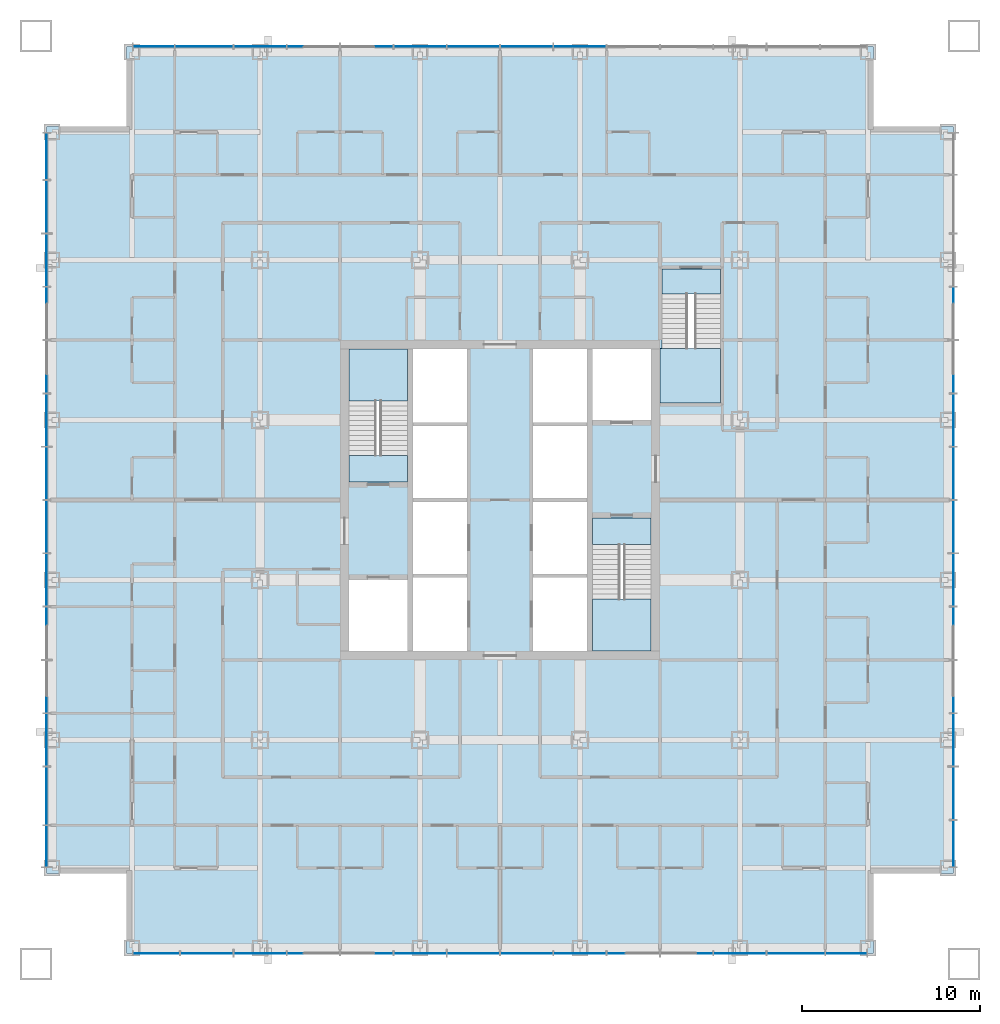
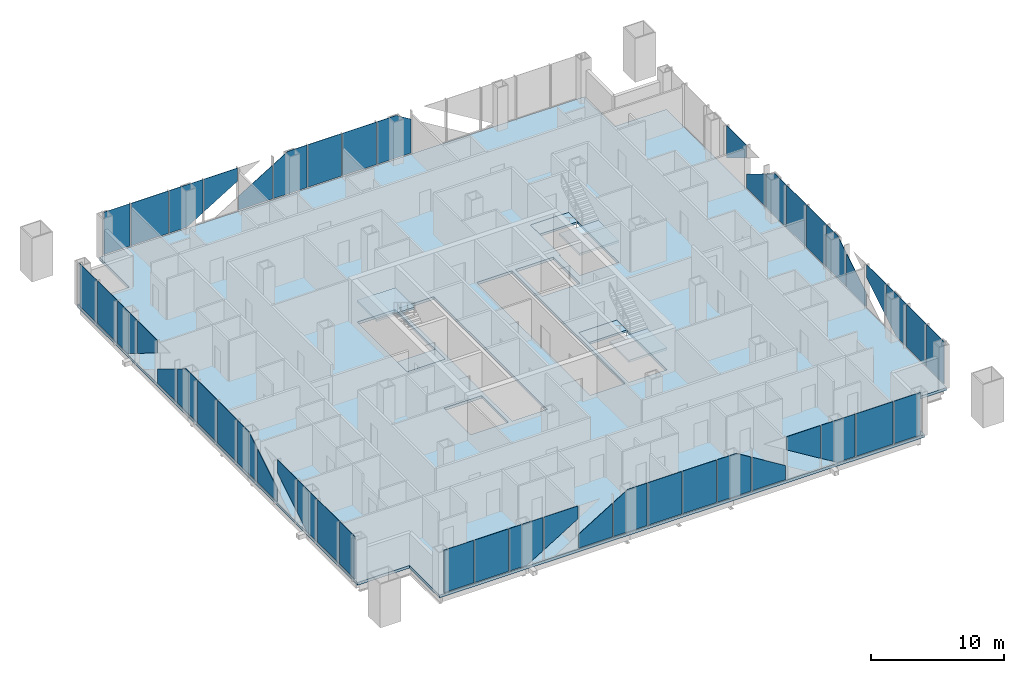
# One storey, part 6 of 13: 48 plates, 7 slabs, 7 elements without a shape of their own.
"""IFC4 building model written with IfcOpenShell, lengths in metres."""

from ifc_helpers import new_model, si_unit, direction, frame, origin, origin_2d, place, context, subcontext, project, spatial, polyline, rectangle, outline, extrude, material, layer, layer_set, type_object, element, aggregate, save


model = new_model("IFC4")

# Units and contexts
model_context = context("Model", 3, precision=1e-05, world=origin(), true_north=direction((0.0, 1.0)))
body_context = subcontext(model_context, "Body", "Model", "MODEL_VIEW")
ifc_project = project(units=[si_unit("LENGTHUNIT", "METRE"), si_unit("AREAUNIT", "SQUARE_METRE"), si_unit("VOLUMEUNIT", "CUBIC_METRE"), si_unit("PLANEANGLEUNIT", "RADIAN"), si_unit("MASSUNIT", "GRAM", prefix="KILO")], contexts=[model_context])

# Site, building, storey
site_placement = place(None, origin())
site = spatial("IfcSite", under=ifc_project, at=site_placement, CompositionType="ELEMENT")
building_placement = place(site_placement, origin())
building = spatial("IfcBuilding", under=site, at=building_placement, Name="Malebo Sky Hospital", CompositionType="ELEMENT")
storey_placement = place(building_placement, frame((0.0, 0.0, 39.0)))
storey = spatial("IfcBuildingStorey", under=building, at=storey_placement, Name="L08", CompositionType="ELEMENT", Elevation=39.0)

# Slab
ifc_material_1 = material(Name="Concrete C40/50", Category="concrete")
ifc_layer_1 = layer(ifc_material_1, 0.25)
ifc_layer_set_1 = layer_set([ifc_layer_1], Name="COMPOSITE FLOOR SLAB 250")
slab_type_1 = type_object("IfcSlabType", Name="COMPOSITE FLOOR SLAB 250", PredefinedType="FLOOR", material=ifc_layer_set_1)
slab_1_placement = place(storey_placement, frame((0.0, 0.0, -0.25)))
element("IfcSlab", 1, at=slab_1_placement, inside=storey, type_object=slab_type_1, Name="Floor slab L08", PredefinedType="FLOOR", context=body_context, shape_type="SweptSolid", body=[
    extrude(outline(polyline([(39.0, 87.5), (39.0, 83.0), (34.5, 83.0), (34.5, 41.0), (39.0, 41.0), (39.0, 36.5), (81.0, 36.5), (81.0, 41.0), (85.5, 41.0), (85.5, 83.0), (81.0, 83.0), (81.0, 87.5), (39.0, 87.5)]), holes=[polyline([(55.10009765625, 70.5), (58.14990234375, 70.5), (58.14990234375, 53.5), (55.10009765625, 53.5), (55.10009765625, 70.5)]), polyline([(64.89990234375, 70.5), (64.89990234375, 53.5), (61.85009765625, 53.5), (61.85009765625, 70.5), (64.89990234375, 70.5)]), polyline([(54.800048828125, 63.0), (51.5, 63.0), (51.5, 70.5), (54.800048828125, 70.5), (54.800048828125, 63.0)]), polyline([(51.5, 53.5), (51.5, 57.5), (54.800048828125, 57.5), (54.800048828125, 53.5), (51.5, 53.5)]), polyline([(65.199951171875, 61.0), (68.5, 61.0), (68.5, 53.5), (65.199951171875, 53.5), (65.199951171875, 61.0)]), polyline([(68.5, 70.5), (68.5, 66.5), (65.199951171875, 66.5), (65.199951171875, 70.5), (68.5, 70.5)]), polyline([(69.0, 67.449951171875), (69.0, 70.52001953125), (69.10009765625, 70.52001953125), (69.10009765625, 75.0), (72.39990234375, 75.0), (72.39990234375, 67.449951171875), (69.10009765625, 67.449951171875), (69.0, 67.449951171875)])]), origin(), (0.0, 0.0, 1.0), 0.25),
])

# Stair, slabs
stair_type_1 = type_object("IfcStairType", Name="HALF-TURN STAIR 1500 R167", PredefinedType="HALF_TURN_STAIR", material=ifc_material_1)
stair_1_placement = place(storey_placement, origin())
stair_1 = element("IfcStair", 2, at=stair_1_placement, inside=storey, type_object=stair_type_1, Name="Stair S1 L08 type ST1", PredefinedType="HALF_TURN_STAIR")
ifc_layer_2 = layer(ifc_material_1, 0.199951171875)
ifc_layer_set_2 = layer_set([ifc_layer_2], Name="STAIR LANDING 200")
slab_type_2 = type_object("IfcSlabType", Name="STAIR LANDING 200", PredefinedType="LANDING", material=ifc_layer_set_2)
slab_2_placement = place(storey_placement, frame((0.0, 0.0, -0.199951171875)))
slab_2 = element("IfcSlab", 3, at=slab_2_placement, type_object=slab_type_2, Name="S1 landing 1", PredefinedType="LANDING", context=body_context, shape_type="SweptSolid", body=[
    extrude(outline(polyline([(51.5, 63.0), (54.800048828125, 63.0), (54.800048828125, 64.5), (51.5, 64.5), (51.5, 63.0)])), origin(), (0.0, 0.0, 1.0), 0.199951171875),
])
slab_3_placement = place(storey_placement, frame((0.0, 0.0, 1.800048828125)))
slab_3 = element("IfcSlab", 4, at=slab_3_placement, type_object=slab_type_2, Name="S1 landing 2", PredefinedType="LANDING", context=body_context, shape_type="SweptSolid", body=[
    extrude(outline(polyline([(51.5, 67.580078125), (54.800048828125, 67.580078125), (54.800048828125, 70.5), (51.5, 70.5), (51.5, 67.580078125)])), origin(), (0.0, 0.0, 1.0), 0.199951171875),
])
aggregate(stair_1, [slab_2, slab_3])

stair_2_placement = place(storey_placement, origin())
stair_2 = element("IfcStair", 5, at=stair_2_placement, inside=storey, type_object=stair_type_1, Name="Stair S2 L08 type ST1", PredefinedType="HALF_TURN_STAIR")
slab_4_placement = place(storey_placement, frame((0.0, 0.0, -0.199951171875)))
slab_4 = element("IfcSlab", 6, at=slab_4_placement, type_object=slab_type_2, Name="S2 landing 1", PredefinedType="LANDING", context=body_context, shape_type="SweptSolid", body=[
    extrude(outline(polyline([(65.199951171875, 59.5), (68.5, 59.5), (68.5, 61.0), (65.199951171875, 61.0), (65.199951171875, 59.5)])), origin(), (0.0, 0.0, 1.0), 0.199951171875),
])
slab_5_placement = place(storey_placement, frame((0.0, 0.0, 1.800048828125)))
slab_5 = element("IfcSlab", 7, at=slab_5_placement, type_object=slab_type_2, Name="S2 landing 2", PredefinedType="LANDING", context=body_context, shape_type="SweptSolid", body=[
    extrude(outline(polyline([(65.199951171875, 53.5), (68.5, 53.5), (68.5, 56.419921875), (65.199951171875, 56.419921875), (65.199951171875, 53.5)])), origin(), (0.0, 0.0, 1.0), 0.199951171875),
])
aggregate(stair_2, [slab_4, slab_5])

stair_type_2 = type_object("IfcStairType", Name="HALF-TURN STAIR 1400 R167", PredefinedType="HALF_TURN_STAIR", material=ifc_material_1)
stair_3_placement = place(storey_placement, origin())
stair_3 = element("IfcStair", 8, at=stair_3_placement, inside=storey, type_object=stair_type_2, Name="Stair S3 L08 type ST1B", PredefinedType="HALF_TURN_STAIR")
slab_6_placement = place(storey_placement, frame((0.0, 0.0, -0.199951171875)))
slab_6 = element("IfcSlab", 9, at=slab_6_placement, type_object=slab_type_2, Name="S3 landing 1", PredefinedType="LANDING", context=body_context, shape_type="SweptSolid", body=[
    extrude(outline(polyline([(69.10009765625, 73.60009765625), (72.39990234375, 73.60009765625), (72.39990234375, 75.0), (69.10009765625, 75.0), (69.10009765625, 73.60009765625)])), origin(), (0.0, 0.0, 1.0), 0.199951171875),
])
slab_7_placement = place(storey_placement, frame((0.0, 0.0, 1.800048828125)))
slab_7 = element("IfcSlab", 10, at=slab_7_placement, type_object=slab_type_2, Name="S3 landing 2", PredefinedType="LANDING", context=body_context, shape_type="SweptSolid", body=[
    extrude(outline(polyline([(69.0, 67.449951171875), (72.39990234375, 67.449951171875), (72.39990234375, 70.52001953125), (69.0, 70.52001953125), (69.0, 67.449951171875)])), origin(), (0.0, 0.0, 1.0), 0.199951171875),
])
aggregate(stair_3, [slab_6, slab_7])

# Curtain wall, plates
ifc_material_2 = material(Name="Anodised aluminium, natural silver", Category="aluminium")
ifc_layer_3 = layer(ifc_material_2, 0.25)
ifc_layer_set_3 = layer_set([ifc_layer_3], Name="WARD CURTAIN WALL NORTH AND SOUTH")
curtain_wall_type_1 = type_object("IfcCurtainWallType", Name="WARD CURTAIN WALL NORTH AND SOUTH", PredefinedType="NOTDEFINED", material=ifc_layer_set_3)
curtain_wall_1_placement = place(storey_placement, origin())
curtain_wall_1 = element("IfcCurtainWall", 11, at=curtain_wall_1_placement, inside=storey, type_object=curtain_wall_type_1, Name="NS curtain wall N", PredefinedType="NOTDEFINED")
ifc_material_3 = material(Name="Clear low-iron double glazing", Category="glass")
ifc_layer_4 = layer(ifc_material_3, 0.031982421875)
ifc_layer_set_4 = layer_set([ifc_layer_4], Name="VISION PANEL CLEAR 32")
plate_type = type_object("IfcPlateType", Name="VISION PANEL CLEAR 32", PredefinedType="CURTAIN_PANEL", material=ifc_layer_set_4)
plate_1_placement = place(storey_placement, frame((40.518798828125, 87.5, 0.10009765625), z_axis=(0.0, 0.0, 1.0), x_axis=(1.0, 0.0, 0.0)))
plate_1 = element("IfcPlate", 12, at=plate_1_placement, type_object=plate_type, Name="Panel 1", PredefinedType="CURTAIN_PANEL", context=body_context, shape_type="SweptSolid", body=[
    extrude(rectangle(XDim=2.28759765625, YDim=0.031982421875, at=origin_2d()), origin(), (0.0, 0.0, 1.0), 3.889892578125),
])
plate_2_placement = place(storey_placement, frame((43.35009765625, 87.5, 0.10009765625), z_axis=(0.0, 0.0, 1.0), x_axis=(1.0, 0.0, 0.0)))
plate_2 = element("IfcPlate", 13, at=plate_2_placement, type_object=plate_type, Name="Panel 2", PredefinedType="CURTAIN_PANEL", context=body_context, shape_type="SweptSolid", body=[
    extrude(rectangle(XDim=3.22509765625, YDim=0.031982421875, at=origin_2d()), origin(), (0.0, 0.0, 1.0), 3.889892578125),
])
plate_3_placement = place(storey_placement, frame((46.5, 87.5, 0.10009765625), z_axis=(0.0, 0.0, 1.0), x_axis=(1.0, 0.0, 0.0)))
plate_3 = element("IfcPlate", 14, at=plate_3_placement, type_object=plate_type, Name="Panel 3", PredefinedType="CURTAIN_PANEL", context=body_context, shape_type="SweptSolid", body=[
    extrude(outline(polyline([(-1.46240234375, 0.0), (0.068603515625, 0.0), (1.46240234375, 0.8544921875), (1.46240234375, 3.889892578125), (-1.46240234375, 3.889892578125), (-1.46240234375, 0.0)])), frame((0.0, 0.01611328125, 0.0), z_axis=(0.0, -1.0, 0.0), x_axis=(1.0, 0.0, 0.0)), (0.0, 0.0, 1.0), 0.031982421875),
])
plate_4_placement = place(storey_placement, frame((49.5, 87.5, 1.00048828125), z_axis=(0.0, 0.0, 1.0), x_axis=(1.0, 0.0, 0.0)))
plate_4 = element("IfcPlate", 15, at=plate_4_placement, type_object=plate_type, Name="Panel 4", PredefinedType="CURTAIN_PANEL", context=body_context, shape_type="SweptSolid", body=[
    extrude(outline(polyline([(-1.46240234375, 0.0), (1.46240234375, 1.793212890625), (1.46240234375, 2.989501953125), (-1.46240234375, 2.989501953125), (-1.46240234375, 0.0)])), frame((0.0, 0.01611328125, 0.0), z_axis=(0.0, -1.0, 0.0), x_axis=(1.0, 0.0, 0.0)), (0.0, 0.0, 1.0), 0.031982421875),
])
plate_5_placement = place(storey_placement, frame((52.5, 87.5, 0.10009765625), z_axis=(0.0, 0.0, 1.0), x_axis=(1.0, 0.0, 0.0)))
plate_5 = element("IfcPlate", 16, at=plate_5_placement, type_object=plate_type, Name="Panel 5", PredefinedType="CURTAIN_PANEL", context=body_context, shape_type="SweptSolid", body=[
    extrude(outline(polyline([(-1.46240234375, 0.0), (1.46240234375, 0.0), (1.46240234375, 3.065185546875), (-1.46240234375, 1.272216796875), (-1.46240234375, 0.0)])), frame((0.0, 0.01611328125, 0.0), z_axis=(0.0, -1.0, 0.0), x_axis=(1.0, 0.0, 0.0)), (0.0, 0.0, 1.0), 0.031982421875),
])
plate_6_placement = place(storey_placement, frame((55.5, 87.5, 0.10009765625), z_axis=(0.0, 0.0, 1.0), x_axis=(1.0, 0.0, 0.0)))
plate_6 = element("IfcPlate", 17, at=plate_6_placement, type_object=plate_type, Name="Panel 6", PredefinedType="CURTAIN_PANEL", context=body_context, shape_type="SweptSolid", body=[
    extrude(outline(polyline([(-1.46240234375, 0.0), (1.46240234375, 0.0), (1.46240234375, 3.889892578125), (-0.192138671875, 3.889892578125), (-1.46240234375, 3.111328125), (-1.46240234375, 0.0)])), frame((0.0, 0.01611328125, 0.0), z_axis=(0.0, -1.0, 0.0), x_axis=(1.0, 0.0, 0.0)), (0.0, 0.0, 1.0), 0.031982421875),
])
plate_7_placement = place(storey_placement, frame((58.5, 87.5, 0.10009765625), z_axis=(0.0, 0.0, 1.0), x_axis=(1.0, 0.0, 0.0)))
plate_7 = element("IfcPlate", 18, at=plate_7_placement, type_object=plate_type, Name="Panel 7", PredefinedType="CURTAIN_PANEL", context=body_context, shape_type="SweptSolid", body=[
    extrude(rectangle(XDim=2.925048828125, YDim=0.031982421875, at=origin_2d()), origin(), (0.0, 0.0, 1.0), 3.889892578125),
])
plate_8_placement = place(storey_placement, frame((61.5, 87.5, 0.10009765625), z_axis=(0.0, 0.0, 1.0), x_axis=(1.0, 0.0, 0.0)))
plate_8 = element("IfcPlate", 19, at=plate_8_placement, type_object=plate_type, Name="Panel 8", PredefinedType="CURTAIN_PANEL", context=body_context, shape_type="SweptSolid", body=[
    extrude(rectangle(XDim=2.925048828125, YDim=0.031982421875, at=origin_2d()), origin(), (0.0, 0.0, 1.0), 3.889892578125),
])
plate_9_placement = place(storey_placement, frame((64.5, 87.5, 0.10009765625), z_axis=(0.0, 0.0, 1.0), x_axis=(1.0, 0.0, 0.0)))
plate_9 = element("IfcPlate", 20, at=plate_9_placement, type_object=plate_type, Name="Panel 9", PredefinedType="CURTAIN_PANEL", context=body_context, shape_type="SweptSolid", body=[
    extrude(outline(polyline([(-1.46240234375, 0.0), (1.46240234375, 0.0), (1.46240234375, 3.111328125), (0.192138671875, 3.889892578125), (-1.46240234375, 3.889892578125), (-1.46240234375, 0.0)])), frame((0.0, 0.01611328125, 0.0), z_axis=(0.0, -1.0, 0.0), x_axis=(1.0, 0.0, 0.0)), (0.0, 0.0, 1.0), 0.031982421875),
])
aggregate(curtain_wall_1, [plate_1, plate_2, plate_3, plate_4, plate_5, plate_6, plate_7, plate_8, plate_9])

ifc_layer_5 = layer(ifc_material_2, 0.25)
ifc_layer_set_5 = layer_set([ifc_layer_5], Name="WARD CURTAIN WALL EAST AND WEST")
curtain_wall_type_2 = type_object("IfcCurtainWallType", Name="WARD CURTAIN WALL EAST AND WEST", PredefinedType="NOTDEFINED", material=ifc_layer_set_5)
curtain_wall_2_placement = place(storey_placement, origin())
curtain_wall_2 = element("IfcCurtainWall", 21, at=curtain_wall_2_placement, inside=storey, type_object=curtain_wall_type_2, Name="EW curtain wall W", PredefinedType="NOTDEFINED")
plate_10_placement = place(storey_placement, frame((34.5, 42.518798828125, 0.10009765625), z_axis=(0.0, 0.0, 1.0), x_axis=(0.0, 1.0, 0.0)))
plate_10 = element("IfcPlate", 22, at=plate_10_placement, type_object=plate_type, Name="Panel 1", PredefinedType="CURTAIN_PANEL", context=body_context, shape_type="SweptSolid", body=[
    extrude(rectangle(XDim=2.28759765625, YDim=0.031982421875, at=origin_2d()), origin(), (0.0, 0.0, 1.0), 3.889892578125),
])
plate_11_placement = place(storey_placement, frame((34.5, 45.35009765625, 0.10009765625), z_axis=(0.0, 0.0, 1.0), x_axis=(0.0, 1.0, 0.0)))
plate_11 = element("IfcPlate", 23, at=plate_11_placement, type_object=plate_type, Name="Panel 2", PredefinedType="CURTAIN_PANEL", context=body_context, shape_type="SweptSolid", body=[
    extrude(rectangle(XDim=3.22509765625, YDim=0.031982421875, at=origin_2d()), origin(), (0.0, 0.0, 1.0), 3.889892578125),
])
plate_12_placement = place(storey_placement, frame((34.5, 48.5, 0.10009765625), z_axis=(0.0, 0.0, 1.0), x_axis=(0.0, 1.0, 0.0)))
plate_12 = element("IfcPlate", 24, at=plate_12_placement, type_object=plate_type, Name="Panel 3", PredefinedType="CURTAIN_PANEL", context=body_context, shape_type="SweptSolid", body=[
    extrude(outline(polyline([(-1.46240234375, 0.0), (0.068603515625, 0.0), (1.46240234375, 0.8544921875), (1.46240234375, 3.889892578125), (-1.46240234375, 3.889892578125), (-1.46240234375, 0.0)])), frame((0.0, 0.01611328125, 0.0), z_axis=(0.0, -1.0, 0.0), x_axis=(1.0, 0.0, 0.0)), (0.0, 0.0, 1.0), 0.031982421875),
])
plate_13_placement = place(storey_placement, frame((34.5, 51.5, 1.00048828125), z_axis=(0.0, 0.0, 1.0), x_axis=(0.0, 1.0, 0.0)))
plate_13 = element("IfcPlate", 25, at=plate_13_placement, type_object=plate_type, Name="Panel 4", PredefinedType="CURTAIN_PANEL", context=body_context, shape_type="SweptSolid", body=[
    extrude(outline(polyline([(-1.46240234375, 0.0), (1.46240234375, 1.793212890625), (1.46240234375, 2.989501953125), (-1.46240234375, 2.989501953125), (-1.46240234375, 0.0)])), frame((0.0, 0.01611328125, 0.0), z_axis=(0.0, -1.0, 0.0), x_axis=(1.0, 0.0, 0.0)), (0.0, 0.0, 1.0), 0.031982421875),
])
plate_14_placement = place(storey_placement, frame((34.5, 54.5, 0.10009765625), z_axis=(0.0, 0.0, 1.0), x_axis=(0.0, 1.0, 0.0)))
plate_14 = element("IfcPlate", 26, at=plate_14_placement, type_object=plate_type, Name="Panel 5", PredefinedType="CURTAIN_PANEL", context=body_context, shape_type="SweptSolid", body=[
    extrude(outline(polyline([(-1.46240234375, 0.0), (1.46240234375, 0.0), (1.46240234375, 3.065185546875), (-1.46240234375, 1.272216796875), (-1.46240234375, 0.0)])), frame((0.0, 0.01611328125, 0.0), z_axis=(0.0, -1.0, 0.0), x_axis=(1.0, 0.0, 0.0)), (0.0, 0.0, 1.0), 0.031982421875),
])
plate_15_placement = place(storey_placement, frame((34.5, 57.5, 0.10009765625), z_axis=(0.0, 0.0, 1.0), x_axis=(0.0, 1.0, 0.0)))
plate_15 = element("IfcPlate", 27, at=plate_15_placement, type_object=plate_type, Name="Panel 6", PredefinedType="CURTAIN_PANEL", context=body_context, shape_type="SweptSolid", body=[
    extrude(outline(polyline([(-1.46240234375, 0.0), (1.46240234375, 0.0), (1.46240234375, 3.889892578125), (-0.192138671875, 3.889892578125), (-1.46240234375, 3.111328125), (-1.46240234375, 0.0)])), frame((0.0, 0.01611328125, 0.0), z_axis=(0.0, -1.0, 0.0), x_axis=(1.0, 0.0, 0.0)), (0.0, 0.0, 1.0), 0.031982421875),
])
plate_16_placement = place(storey_placement, frame((34.5, 60.5, 0.10009765625), z_axis=(0.0, 0.0, 1.0), x_axis=(0.0, 1.0, 0.0)))
plate_16 = element("IfcPlate", 28, at=plate_16_placement, type_object=plate_type, Name="Panel 7", PredefinedType="CURTAIN_PANEL", context=body_context, shape_type="SweptSolid", body=[
    extrude(rectangle(XDim=2.925048828125, YDim=0.031982421875, at=origin_2d()), origin(), (0.0, 0.0, 1.0), 3.889892578125),
])
plate_17_placement = place(storey_placement, frame((34.5, 63.5, 0.10009765625), z_axis=(0.0, 0.0, 1.0), x_axis=(0.0, 1.0, 0.0)))
plate_17 = element("IfcPlate", 29, at=plate_17_placement, type_object=plate_type, Name="Panel 8", PredefinedType="CURTAIN_PANEL", context=body_context, shape_type="SweptSolid", body=[
    extrude(rectangle(XDim=2.925048828125, YDim=0.031982421875, at=origin_2d()), origin(), (0.0, 0.0, 1.0), 3.889892578125),
])
plate_18_placement = place(storey_placement, frame((34.5, 66.5, 0.10009765625), z_axis=(0.0, 0.0, 1.0), x_axis=(0.0, 1.0, 0.0)))
plate_18 = element("IfcPlate", 30, at=plate_18_placement, type_object=plate_type, Name="Panel 9", PredefinedType="CURTAIN_PANEL", context=body_context, shape_type="SweptSolid", body=[
    extrude(outline(polyline([(-1.46240234375, 0.0), (1.46240234375, 0.0), (1.46240234375, 3.111328125), (0.192138671875, 3.889892578125), (-1.46240234375, 3.889892578125), (-1.46240234375, 0.0)])), frame((0.0, 0.01611328125, 0.0), z_axis=(0.0, -1.0, 0.0), x_axis=(1.0, 0.0, 0.0)), (0.0, 0.0, 1.0), 0.031982421875),
])
plate_19_placement = place(storey_placement, frame((34.5, 69.5, 0.10009765625), z_axis=(0.0, 0.0, 1.0), x_axis=(0.0, 1.0, 0.0)))
plate_19 = element("IfcPlate", 31, at=plate_19_placement, type_object=plate_type, Name="Panel 10", PredefinedType="CURTAIN_PANEL", context=body_context, shape_type="SweptSolid", body=[
    extrude(outline(polyline([(-1.46240234375, 0.0), (1.46240234375, 0.0), (1.46240234375, 1.272216796875), (-1.46240234375, 3.065185546875), (-1.46240234375, 0.0)])), frame((0.0, 0.01611328125, 0.0), z_axis=(0.0, -1.0, 0.0), x_axis=(1.0, 0.0, 0.0)), (0.0, 0.0, 1.0), 0.031982421875),
])
plate_20_placement = place(storey_placement, frame((34.5, 72.5, 1.00048828125), z_axis=(0.0, 0.0, 1.0), x_axis=(0.0, 1.0, 0.0)))
plate_20 = element("IfcPlate", 32, at=plate_20_placement, type_object=plate_type, Name="Panel 11", PredefinedType="CURTAIN_PANEL", context=body_context, shape_type="SweptSolid", body=[
    extrude(outline(polyline([(1.46240234375, 0.0), (1.46240234375, 2.989501953125), (-1.46240234375, 2.989501953125), (-1.46240234375, 1.793212890625), (1.46240234375, 0.0)])), frame((0.0, 0.01611328125, 0.0), z_axis=(0.0, -1.0, 0.0), x_axis=(1.0, 0.0, 0.0)), (0.0, 0.0, 1.0), 0.031982421875),
])
plate_21_placement = place(storey_placement, frame((34.5, 75.5, 0.10009765625), z_axis=(0.0, 0.0, 1.0), x_axis=(0.0, 1.0, 0.0)))
plate_21 = element("IfcPlate", 33, at=plate_21_placement, type_object=plate_type, Name="Panel 12", PredefinedType="CURTAIN_PANEL", context=body_context, shape_type="SweptSolid", body=[
    extrude(outline(polyline([(-0.068603515625, 0.0), (1.46240234375, 0.0), (1.46240234375, 3.889892578125), (-1.46240234375, 3.889892578125), (-1.46240234375, 0.8544921875), (-0.068603515625, 0.0)])), frame((0.0, 0.01611328125, 0.0), z_axis=(0.0, -1.0, 0.0), x_axis=(1.0, 0.0, 0.0)), (0.0, 0.0, 1.0), 0.031982421875),
])
plate_22_placement = place(storey_placement, frame((34.5, 78.5, 0.10009765625), z_axis=(0.0, 0.0, 1.0), x_axis=(0.0, 1.0, 0.0)))
plate_22 = element("IfcPlate", 34, at=plate_22_placement, type_object=plate_type, Name="Panel 13", PredefinedType="CURTAIN_PANEL", context=body_context, shape_type="SweptSolid", body=[
    extrude(rectangle(XDim=2.925048828125, YDim=0.031982421875, at=origin_2d()), origin(), (0.0, 0.0, 1.0), 3.889892578125),
])
plate_23_placement = place(storey_placement, frame((34.5, 81.331298828125, 0.10009765625), z_axis=(0.0, 0.0, 1.0), x_axis=(0.0, 1.0, 0.0)))
plate_23 = element("IfcPlate", 35, at=plate_23_placement, type_object=plate_type, Name="Panel 14", PredefinedType="CURTAIN_PANEL", context=body_context, shape_type="SweptSolid", body=[
    extrude(rectangle(XDim=2.58740234375, YDim=0.031982421875, at=origin_2d()), origin(), (0.0, 0.0, 1.0), 3.889892578125),
])
aggregate(curtain_wall_2, [plate_10, plate_11, plate_12, plate_13, plate_14, plate_15, plate_16, plate_17, plate_18, plate_19, plate_20, plate_21, plate_22, plate_23])

curtain_wall_3_placement = place(storey_placement, origin())
curtain_wall_3 = element("IfcCurtainWall", 36, at=curtain_wall_3_placement, inside=storey, type_object=curtain_wall_type_1, Name="NS curtain wall S", PredefinedType="NOTDEFINED")
plate_24_placement = place(storey_placement, frame((79.481201171875, 36.5, 0.10009765625), z_axis=(0.0, 0.0, 1.0), x_axis=(-1.0, 0.0, 0.0)))
plate_24 = element("IfcPlate", 37, at=plate_24_placement, type_object=plate_type, Name="Panel 1", PredefinedType="CURTAIN_PANEL", context=body_context, shape_type="SweptSolid", body=[
    extrude(rectangle(XDim=2.28759765625, YDim=0.031982421875, at=origin_2d()), origin(), (0.0, 0.0, 1.0), 3.889892578125),
])
plate_25_placement = place(storey_placement, frame((76.64990234375, 36.5, 0.10009765625), z_axis=(0.0, 0.0, 1.0), x_axis=(-1.0, 0.0, 0.0)))
plate_25 = element("IfcPlate", 38, at=plate_25_placement, type_object=plate_type, Name="Panel 2", PredefinedType="CURTAIN_PANEL", context=body_context, shape_type="SweptSolid", body=[
    extrude(rectangle(XDim=3.22509765625, YDim=0.031982421875, at=origin_2d()), origin(), (0.0, 0.0, 1.0), 3.889892578125),
])
plate_26_placement = place(storey_placement, frame((73.5, 36.5, 0.10009765625), z_axis=(0.0, 0.0, 1.0), x_axis=(-1.0, 0.0, 0.0)))
plate_26 = element("IfcPlate", 39, at=plate_26_placement, type_object=plate_type, Name="Panel 3", PredefinedType="CURTAIN_PANEL", context=body_context, shape_type="SweptSolid", body=[
    extrude(outline(polyline([(-1.46240234375, 0.0), (0.068603515625, 0.0), (1.46240234375, 0.8544921875), (1.46240234375, 3.889892578125), (-1.46240234375, 3.889892578125), (-1.46240234375, 0.0)])), frame((0.0, 0.01611328125, 0.0), z_axis=(0.0, -1.0, 0.0), x_axis=(1.0, 0.0, 0.0)), (0.0, 0.0, 1.0), 0.031982421875),
])
plate_27_placement = place(storey_placement, frame((70.5, 36.5, 1.00048828125), z_axis=(0.0, 0.0, 1.0), x_axis=(-1.0, 0.0, 0.0)))
plate_27 = element("IfcPlate", 40, at=plate_27_placement, type_object=plate_type, Name="Panel 4", PredefinedType="CURTAIN_PANEL", context=body_context, shape_type="SweptSolid", body=[
    extrude(outline(polyline([(-1.46240234375, 0.0), (1.46240234375, 1.793212890625), (1.46240234375, 2.989501953125), (-1.46240234375, 2.989501953125), (-1.46240234375, 0.0)])), frame((0.0, 0.01611328125, 0.0), z_axis=(0.0, -1.0, 0.0), x_axis=(1.0, 0.0, 0.0)), (0.0, 0.0, 1.0), 0.031982421875),
])
plate_28_placement = place(storey_placement, frame((67.5, 36.5, 0.10009765625), z_axis=(0.0, 0.0, 1.0), x_axis=(-1.0, 0.0, 0.0)))
plate_28 = element("IfcPlate", 41, at=plate_28_placement, type_object=plate_type, Name="Panel 5", PredefinedType="CURTAIN_PANEL", context=body_context, shape_type="SweptSolid", body=[
    extrude(outline(polyline([(-1.46240234375, 0.0), (1.46240234375, 0.0), (1.46240234375, 3.065185546875), (-1.46240234375, 1.272216796875), (-1.46240234375, 0.0)])), frame((0.0, 0.01611328125, 0.0), z_axis=(0.0, -1.0, 0.0), x_axis=(1.0, 0.0, 0.0)), (0.0, 0.0, 1.0), 0.031982421875),
])
plate_29_placement = place(storey_placement, frame((64.5, 36.5, 0.10009765625), z_axis=(0.0, 0.0, 1.0), x_axis=(-1.0, 0.0, 0.0)))
plate_29 = element("IfcPlate", 42, at=plate_29_placement, type_object=plate_type, Name="Panel 6", PredefinedType="CURTAIN_PANEL", context=body_context, shape_type="SweptSolid", body=[
    extrude(outline(polyline([(-1.46240234375, 0.0), (1.46240234375, 0.0), (1.46240234375, 3.889892578125), (-0.192138671875, 3.889892578125), (-1.46240234375, 3.111328125), (-1.46240234375, 0.0)])), frame((0.0, 0.01611328125, 0.0), z_axis=(0.0, -1.0, 0.0), x_axis=(1.0, 0.0, 0.0)), (0.0, 0.0, 1.0), 0.031982421875),
])
plate_30_placement = place(storey_placement, frame((61.5, 36.5, 0.10009765625), z_axis=(0.0, 0.0, 1.0), x_axis=(-1.0, 0.0, 0.0)))
plate_30 = element("IfcPlate", 43, at=plate_30_placement, type_object=plate_type, Name="Panel 7", PredefinedType="CURTAIN_PANEL", context=body_context, shape_type="SweptSolid", body=[
    extrude(rectangle(XDim=2.925048828125, YDim=0.031982421875, at=origin_2d()), origin(), (0.0, 0.0, 1.0), 3.889892578125),
])
plate_31_placement = place(storey_placement, frame((58.5, 36.5, 0.10009765625), z_axis=(0.0, 0.0, 1.0), x_axis=(-1.0, 0.0, 0.0)))
plate_31 = element("IfcPlate", 44, at=plate_31_placement, type_object=plate_type, Name="Panel 8", PredefinedType="CURTAIN_PANEL", context=body_context, shape_type="SweptSolid", body=[
    extrude(rectangle(XDim=2.925048828125, YDim=0.031982421875, at=origin_2d()), origin(), (0.0, 0.0, 1.0), 3.889892578125),
])
plate_32_placement = place(storey_placement, frame((55.5, 36.5, 0.10009765625), z_axis=(0.0, 0.0, 1.0), x_axis=(-1.0, 0.0, 0.0)))
plate_32 = element("IfcPlate", 45, at=plate_32_placement, type_object=plate_type, Name="Panel 9", PredefinedType="CURTAIN_PANEL", context=body_context, shape_type="SweptSolid", body=[
    extrude(outline(polyline([(-1.46240234375, 0.0), (1.46240234375, 0.0), (1.46240234375, 3.111328125), (0.192138671875, 3.889892578125), (-1.46240234375, 3.889892578125), (-1.46240234375, 0.0)])), frame((0.0, 0.01611328125, 0.0), z_axis=(0.0, -1.0, 0.0), x_axis=(1.0, 0.0, 0.0)), (0.0, 0.0, 1.0), 0.031982421875),
])
plate_33_placement = place(storey_placement, frame((52.5, 36.5, 0.10009765625), z_axis=(0.0, 0.0, 1.0), x_axis=(-1.0, 0.0, 0.0)))
plate_33 = element("IfcPlate", 46, at=plate_33_placement, type_object=plate_type, Name="Panel 10", PredefinedType="CURTAIN_PANEL", context=body_context, shape_type="SweptSolid", body=[
    extrude(outline(polyline([(-1.46240234375, 0.0), (1.46240234375, 0.0), (1.46240234375, 1.272216796875), (-1.46240234375, 3.065185546875), (-1.46240234375, 0.0)])), frame((0.0, 0.01611328125, 0.0), z_axis=(0.0, -1.0, 0.0), x_axis=(1.0, 0.0, 0.0)), (0.0, 0.0, 1.0), 0.031982421875),
])
plate_34_placement = place(storey_placement, frame((49.5, 36.5, 1.00048828125), z_axis=(0.0, 0.0, 1.0), x_axis=(-1.0, 0.0, 0.0)))
plate_34 = element("IfcPlate", 47, at=plate_34_placement, type_object=plate_type, Name="Panel 11", PredefinedType="CURTAIN_PANEL", context=body_context, shape_type="SweptSolid", body=[
    extrude(outline(polyline([(1.46240234375, 0.0), (1.46240234375, 2.989501953125), (-1.46240234375, 2.989501953125), (-1.46240234375, 1.793212890625), (1.46240234375, 0.0)])), frame((0.0, 0.01611328125, 0.0), z_axis=(0.0, -1.0, 0.0), x_axis=(1.0, 0.0, 0.0)), (0.0, 0.0, 1.0), 0.031982421875),
])
plate_35_placement = place(storey_placement, frame((46.5, 36.5, 0.10009765625), z_axis=(0.0, 0.0, 1.0), x_axis=(-1.0, 0.0, 0.0)))
plate_35 = element("IfcPlate", 48, at=plate_35_placement, type_object=plate_type, Name="Panel 12", PredefinedType="CURTAIN_PANEL", context=body_context, shape_type="SweptSolid", body=[
    extrude(outline(polyline([(-0.068603515625, 0.0), (1.46240234375, 0.0), (1.46240234375, 3.889892578125), (-1.46240234375, 3.889892578125), (-1.46240234375, 0.8544921875), (-0.068603515625, 0.0)])), frame((0.0, 0.01611328125, 0.0), z_axis=(0.0, -1.0, 0.0), x_axis=(1.0, 0.0, 0.0)), (0.0, 0.0, 1.0), 0.031982421875),
])
plate_36_placement = place(storey_placement, frame((43.5, 36.5, 0.10009765625), z_axis=(0.0, 0.0, 1.0), x_axis=(-1.0, 0.0, 0.0)))
plate_36 = element("IfcPlate", 49, at=plate_36_placement, type_object=plate_type, Name="Panel 13", PredefinedType="CURTAIN_PANEL", context=body_context, shape_type="SweptSolid", body=[
    extrude(rectangle(XDim=2.925048828125, YDim=0.031982421875, at=origin_2d()), origin(), (0.0, 0.0, 1.0), 3.889892578125),
])
plate_37_placement = place(storey_placement, frame((40.668701171875, 36.5, 0.10009765625), z_axis=(0.0, 0.0, 1.0), x_axis=(-1.0, 0.0, 0.0)))
plate_37 = element("IfcPlate", 50, at=plate_37_placement, type_object=plate_type, Name="Panel 14", PredefinedType="CURTAIN_PANEL", context=body_context, shape_type="SweptSolid", body=[
    extrude(rectangle(XDim=2.58740234375, YDim=0.031982421875, at=origin_2d()), origin(), (0.0, 0.0, 1.0), 3.889892578125),
])
aggregate(curtain_wall_3, [plate_24, plate_25, plate_26, plate_27, plate_28, plate_29, plate_30, plate_31, plate_32, plate_33, plate_34, plate_35, plate_36, plate_37])

curtain_wall_4_placement = place(storey_placement, origin())
curtain_wall_4 = element("IfcCurtainWall", 51, at=curtain_wall_4_placement, inside=storey, type_object=curtain_wall_type_2, Name="EW curtain wall E", PredefinedType="NOTDEFINED")
plate_38_placement = place(storey_placement, frame((85.5, 72.5, 1.00048828125), z_axis=(0.0, 0.0, 1.0), x_axis=(0.0, -1.0, 0.0)))
plate_38 = element("IfcPlate", 52, at=plate_38_placement, type_object=plate_type, Name="Panel 4", PredefinedType="CURTAIN_PANEL", context=body_context, shape_type="SweptSolid", body=[
    extrude(outline(polyline([(-1.46240234375, 0.0), (1.46240234375, 1.793212890625), (1.46240234375, 2.989501953125), (-1.46240234375, 2.989501953125), (-1.46240234375, 0.0)])), frame((0.0, 0.01611328125, 0.0), z_axis=(0.0, -1.0, 0.0), x_axis=(1.0, 0.0, 0.0)), (0.0, 0.0, 1.0), 0.031982421875),
])
plate_39_placement = place(storey_placement, frame((85.5, 69.5, 0.10009765625), z_axis=(0.0, 0.0, 1.0), x_axis=(0.0, -1.0, 0.0)))
plate_39 = element("IfcPlate", 53, at=plate_39_placement, type_object=plate_type, Name="Panel 5", PredefinedType="CURTAIN_PANEL", context=body_context, shape_type="SweptSolid", body=[
    extrude(outline(polyline([(-1.46240234375, 0.0), (1.46240234375, 0.0), (1.46240234375, 3.065185546875), (-1.46240234375, 1.272216796875), (-1.46240234375, 0.0)])), frame((0.0, 0.01611328125, 0.0), z_axis=(0.0, -1.0, 0.0), x_axis=(1.0, 0.0, 0.0)), (0.0, 0.0, 1.0), 0.031982421875),
])
plate_40_placement = place(storey_placement, frame((85.5, 66.5, 0.10009765625), z_axis=(0.0, 0.0, 1.0), x_axis=(0.0, -1.0, 0.0)))
plate_40 = element("IfcPlate", 54, at=plate_40_placement, type_object=plate_type, Name="Panel 6", PredefinedType="CURTAIN_PANEL", context=body_context, shape_type="SweptSolid", body=[
    extrude(outline(polyline([(-1.46240234375, 0.0), (1.46240234375, 0.0), (1.46240234375, 3.889892578125), (-0.192138671875, 3.889892578125), (-1.46240234375, 3.111328125), (-1.46240234375, 0.0)])), frame((0.0, 0.01611328125, 0.0), z_axis=(0.0, -1.0, 0.0), x_axis=(1.0, 0.0, 0.0)), (0.0, 0.0, 1.0), 0.031982421875),
])
plate_41_placement = place(storey_placement, frame((85.5, 63.5, 0.10009765625), z_axis=(0.0, 0.0, 1.0), x_axis=(0.0, -1.0, 0.0)))
plate_41 = element("IfcPlate", 55, at=plate_41_placement, type_object=plate_type, Name="Panel 7", PredefinedType="CURTAIN_PANEL", context=body_context, shape_type="SweptSolid", body=[
    extrude(rectangle(XDim=2.925048828125, YDim=0.031982421875, at=origin_2d()), origin(), (0.0, 0.0, 1.0), 3.889892578125),
])
plate_42_placement = place(storey_placement, frame((85.5, 60.5, 0.10009765625), z_axis=(0.0, 0.0, 1.0), x_axis=(0.0, -1.0, 0.0)))
plate_42 = element("IfcPlate", 56, at=plate_42_placement, type_object=plate_type, Name="Panel 8", PredefinedType="CURTAIN_PANEL", context=body_context, shape_type="SweptSolid", body=[
    extrude(rectangle(XDim=2.925048828125, YDim=0.031982421875, at=origin_2d()), origin(), (0.0, 0.0, 1.0), 3.889892578125),
])
plate_43_placement = place(storey_placement, frame((85.5, 57.5, 0.10009765625), z_axis=(0.0, 0.0, 1.0), x_axis=(0.0, -1.0, 0.0)))
plate_43 = element("IfcPlate", 57, at=plate_43_placement, type_object=plate_type, Name="Panel 9", PredefinedType="CURTAIN_PANEL", context=body_context, shape_type="SweptSolid", body=[
    extrude(outline(polyline([(-1.46240234375, 0.0), (1.46240234375, 0.0), (1.46240234375, 3.111328125), (0.192138671875, 3.889892578125), (-1.46240234375, 3.889892578125), (-1.46240234375, 0.0)])), frame((0.0, 0.01611328125, 0.0), z_axis=(0.0, -1.0, 0.0), x_axis=(1.0, 0.0, 0.0)), (0.0, 0.0, 1.0), 0.031982421875),
])
plate_44_placement = place(storey_placement, frame((85.5, 54.5, 0.10009765625), z_axis=(0.0, 0.0, 1.0), x_axis=(0.0, -1.0, 0.0)))
plate_44 = element("IfcPlate", 58, at=plate_44_placement, type_object=plate_type, Name="Panel 10", PredefinedType="CURTAIN_PANEL", context=body_context, shape_type="SweptSolid", body=[
    extrude(outline(polyline([(-1.46240234375, 0.0), (1.46240234375, 0.0), (1.46240234375, 1.272216796875), (-1.46240234375, 3.065185546875), (-1.46240234375, 0.0)])), frame((0.0, 0.01611328125, 0.0), z_axis=(0.0, -1.0, 0.0), x_axis=(1.0, 0.0, 0.0)), (0.0, 0.0, 1.0), 0.031982421875),
])
plate_45_placement = place(storey_placement, frame((85.5, 51.5, 1.00048828125), z_axis=(0.0, 0.0, 1.0), x_axis=(0.0, -1.0, 0.0)))
plate_45 = element("IfcPlate", 59, at=plate_45_placement, type_object=plate_type, Name="Panel 11", PredefinedType="CURTAIN_PANEL", context=body_context, shape_type="SweptSolid", body=[
    extrude(outline(polyline([(1.46240234375, 0.0), (1.46240234375, 2.989501953125), (-1.46240234375, 2.989501953125), (-1.46240234375, 1.793212890625), (1.46240234375, 0.0)])), frame((0.0, 0.01611328125, 0.0), z_axis=(0.0, -1.0, 0.0), x_axis=(1.0, 0.0, 0.0)), (0.0, 0.0, 1.0), 0.031982421875),
])
plate_46_placement = place(storey_placement, frame((85.5, 48.5, 0.10009765625), z_axis=(0.0, 0.0, 1.0), x_axis=(0.0, -1.0, 0.0)))
plate_46 = element("IfcPlate", 60, at=plate_46_placement, type_object=plate_type, Name="Panel 12", PredefinedType="CURTAIN_PANEL", context=body_context, shape_type="SweptSolid", body=[
    extrude(outline(polyline([(-0.068603515625, 0.0), (1.46240234375, 0.0), (1.46240234375, 3.889892578125), (-1.46240234375, 3.889892578125), (-1.46240234375, 0.8544921875), (-0.068603515625, 0.0)])), frame((0.0, 0.01611328125, 0.0), z_axis=(0.0, -1.0, 0.0), x_axis=(1.0, 0.0, 0.0)), (0.0, 0.0, 1.0), 0.031982421875),
])
plate_47_placement = place(storey_placement, frame((85.5, 45.5, 0.10009765625), z_axis=(0.0, 0.0, 1.0), x_axis=(0.0, -1.0, 0.0)))
plate_47 = element("IfcPlate", 61, at=plate_47_placement, type_object=plate_type, Name="Panel 13", PredefinedType="CURTAIN_PANEL", context=body_context, shape_type="SweptSolid", body=[
    extrude(rectangle(XDim=2.925048828125, YDim=0.031982421875, at=origin_2d()), origin(), (0.0, 0.0, 1.0), 3.889892578125),
])
plate_48_placement = place(storey_placement, frame((85.5, 42.668701171875, 0.10009765625), z_axis=(0.0, 0.0, 1.0), x_axis=(0.0, -1.0, 0.0)))
plate_48 = element("IfcPlate", 62, at=plate_48_placement, type_object=plate_type, Name="Panel 14", PredefinedType="CURTAIN_PANEL", context=body_context, shape_type="SweptSolid", body=[
    extrude(rectangle(XDim=2.58740234375, YDim=0.031982421875, at=origin_2d()), origin(), (0.0, 0.0, 1.0), 3.889892578125),
])
aggregate(curtain_wall_4, [plate_38, plate_39, plate_40, plate_41, plate_42, plate_43, plate_44, plate_45, plate_46, plate_47, plate_48])

save(model, "model.ifc")
